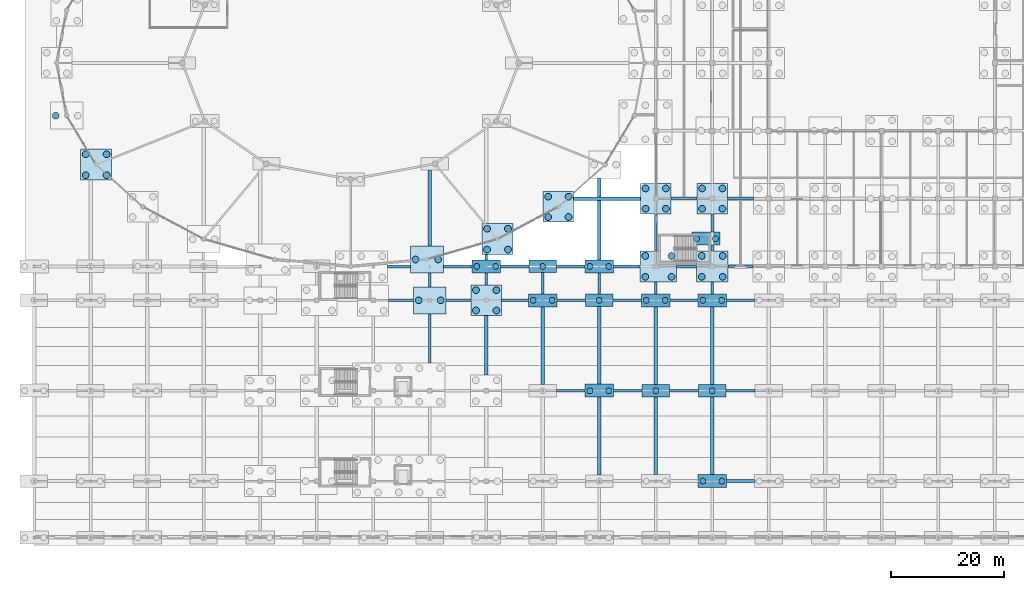
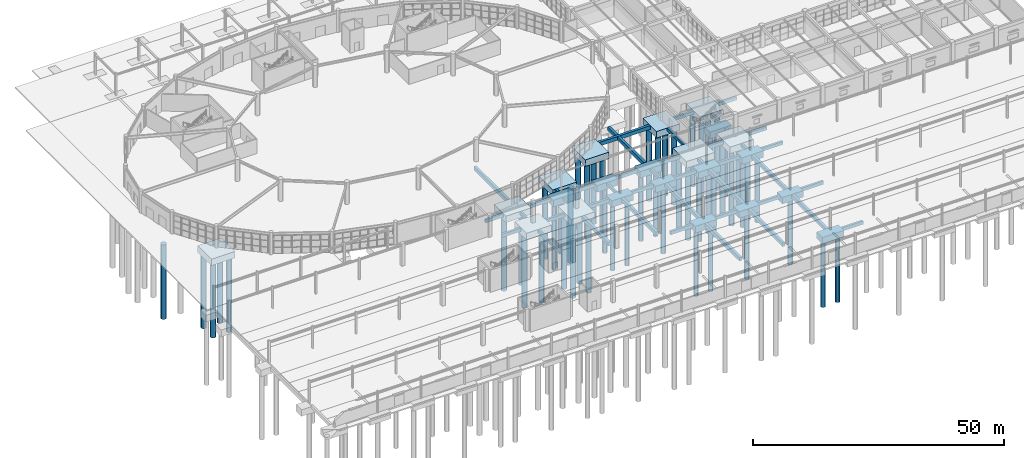
# One storey, part 3 of 99: 65 footings, 57 piles.
"""IFC4 building model written with IfcOpenShell, lengths in metres."""

from ifc_helpers import new_model, si_unit, direction, frame, origin, origin_2d, place, context, subcontext, project, spatial, rectangle, circle, extrude, material, material_profile, profile_set, type_object, element, save


model = new_model("IFC4")

# Units and contexts
model_context = context("Model", 3, precision=1e-05, world=origin(), true_north=direction((0.0, 1.0)))
body_context = subcontext(model_context, "Body", "Model", "MODEL_VIEW")
ifc_project = project(units=[si_unit("LENGTHUNIT", "METRE"), si_unit("AREAUNIT", "SQUARE_METRE"), si_unit("VOLUMEUNIT", "CUBIC_METRE"), si_unit("PLANEANGLEUNIT", "RADIAN"), si_unit("MASSUNIT", "GRAM", prefix="KILO")], contexts=[model_context])

# Site, building, storey
site_placement = place(None, origin())
site = spatial("IfcSite", under=ifc_project, at=site_placement, CompositionType="ELEMENT")
building_placement = place(site_placement, origin())
building = spatial("IfcBuilding", under=site, at=building_placement, Name="Kivolera Central Railway Station", CompositionType="ELEMENT")
storey_placement = place(building_placement, origin())
storey = spatial("IfcBuildingStorey", under=building, at=storey_placement, Name="L00", CompositionType="ELEMENT", Elevation=0.0)

# Footings
ifc_material = material(Name="Concrete C35/45", Category="concrete")
footing_type_1 = type_object("IfcFootingType", Name="FB-450x750", PredefinedType="FOOTING_BEAM", material=ifc_material)
footing_1_placement = place(storey_placement, frame((78.0, 41.2451171875, -1.110107421875), z_axis=(0.0, 0.0, 1.0), x_axis=(1.0, 0.0, 0.0)))
element("IfcFooting", 1, at=footing_1_placement, inside=storey, type_object=footing_type_1, Name="Foundation Tie Beam FDN-FBY-189", PredefinedType="FOOTING_BEAM", context=body_context, shape_type="SweptSolid", body=[
    extrude(rectangle(XDim=0.449951171875, YDim=8.7109375, at=origin_2d()), origin(), (0.0, 0.0, 1.0), 0.75),
])
footing_2_placement = place(storey_placement, frame((78.0, 51.614013671875, -1.10009765625), z_axis=(0.0, 0.0, 1.0), x_axis=(1.0, 0.0, 0.0)))
element("IfcFooting", 2, at=footing_2_placement, inside=storey, type_object=footing_type_1, Name="Foundation Tie Beam FDN-FBY-190", PredefinedType="FOOTING_BEAM", context=body_context, shape_type="SweptSolid", body=[
    extrude(rectangle(XDim=0.449951171875, YDim=2.427001953125, at=origin_2d()), origin(), (0.0, 0.0, 1.0), 0.75),
])
footing_3_placement = place(storey_placement, frame((88.0, 51.77490234375, -1.10009765625), z_axis=(0.0, 0.0, 1.0), x_axis=(1.0, 0.0, 0.0)))
element("IfcFooting", 3, at=footing_3_placement, inside=storey, type_object=footing_type_1, Name="Foundation Tie Beam FDN-FBY-198", PredefinedType="FOOTING_BEAM", context=body_context, shape_type="SweptSolid", body=[
    extrude(rectangle(XDim=0.449951171875, YDim=2.14990234375, at=origin_2d()), origin(), (0.0, 0.0, 1.0), 0.75),
])
footing_4_placement = place(storey_placement, frame((88.0, 55.611083984375, -1.10009765625), z_axis=(0.0, 0.0, 1.0), x_axis=(1.0, 0.0, 0.0)))
element("IfcFooting", 4, at=footing_4_placement, inside=storey, type_object=footing_type_1, Name="Foundation Tie Beam FDN-FBY-199", PredefinedType="FOOTING_BEAM", context=body_context, shape_type="SweptSolid", body=[
    extrude(rectangle(XDim=0.449951171875, YDim=0.923095703125, at=origin_2d()), origin(), (0.0, 0.0, 1.0), 0.75),
])
for number, where, z_axis, x_axis, name in (
    (5, (98.0, 51.02490234375, -1.10009765625), (0.0, 0.0, 1.0), (1.0, 0.0, 0.0), "Foundation Tie Beam FDN-FBY-208"),
    (6, (108.0, 50.97509765625, -1.10009765625), (0.0, 0.0, 1.0), (1.0, 0.0, 0.0), "Foundation Tie Beam FDN-FBY-213"),
):
    element("IfcFooting", number, at=place(storey_placement, frame(where, z_axis=z_axis, x_axis=x_axis)), inside=storey, type_object=footing_type_1, Name=name, PredefinedType="FOOTING_BEAM", context=body_context, shape_type="SweptSolid", body=[
        extrude(rectangle(XDim=0.449951171875, YDim=3.75, at=origin_2d()), origin(), (0.0, 0.0, 1.0), 0.75),
    ])
footing_5_placement = place(storey_placement, frame((118.0, 50.199951171875, -1.10009765625), z_axis=(0.0, 0.0, 1.0), x_axis=(1.0, 0.0, 0.0)))
element("IfcFooting", 7, at=footing_5_placement, inside=storey, type_object=footing_type_1, Name="Foundation Tie Beam FDN-FBY-218", PredefinedType="FOOTING_BEAM", context=body_context, shape_type="SweptSolid", body=[
    extrude(rectangle(XDim=0.449951171875, YDim=2.10009765625, at=origin_2d()), origin(), (0.0, 0.0, 1.0), 0.75),
])
footing_6_placement = place(storey_placement, frame((118.0, 60.02490234375, -1.10009765625), z_axis=(0.0, 0.0, 1.0), x_axis=(1.0, 0.0, 0.0)))
element("IfcFooting", 8, at=footing_6_placement, inside=storey, type_object=footing_type_1, Name="Foundation Tie Beam FDN-FBY-219", PredefinedType="FOOTING_BEAM", context=body_context, shape_type="SweptSolid", body=[
    extrude(rectangle(XDim=0.449951171875, YDim=6.550048828125, at=origin_2d()), origin(), (0.0, 0.0, 1.0), 0.75),
])
footing_7_placement = place(storey_placement, frame((128.0, 50.199951171875, -1.10009765625), z_axis=(0.0, 0.0, 1.0), x_axis=(1.0, 0.0, 0.0)))
element("IfcFooting", 9, at=footing_7_placement, inside=storey, type_object=footing_type_1, Name="Foundation Tie Beam FDN-FBY-228", PredefinedType="FOOTING_BEAM", context=body_context, shape_type="SweptSolid", body=[
    extrude(rectangle(XDim=0.449951171875, YDim=2.10009765625, at=origin_2d()), origin(), (0.0, 0.0, 1.0), 0.75),
])
footing_8_placement = place(storey_placement, frame((128.0, 57.25, -1.10009765625), z_axis=(0.0, 0.0, 1.0), x_axis=(1.0, 0.0, 0.0)))
element("IfcFooting", 10, at=footing_8_placement, inside=storey, type_object=footing_type_1, Name="Foundation Tie Beam FDN-FBY-229", PredefinedType="FOOTING_BEAM", context=body_context, shape_type="SweptSolid", body=[
    extrude(rectangle(XDim=0.449951171875, YDim=1.0, at=origin_2d()), origin(), (0.0, 0.0, 1.0), 0.75),
])
footing_9_placement = place(storey_placement, frame((128.0, 61.675048828125, -1.10009765625), z_axis=(0.0, 0.0, 1.0), x_axis=(1.0, 0.0, 0.0)))
element("IfcFooting", 11, at=footing_9_placement, inside=storey, type_object=footing_type_1, Name="Foundation Tie Beam FDN-FBY-230", PredefinedType="FOOTING_BEAM", context=body_context, shape_type="SweptSolid", body=[
    extrude(rectangle(XDim=0.449951171875, YDim=3.25, at=origin_2d()), origin(), (0.0, 0.0, 1.0), 0.75),
])
footing_type_2 = type_object("IfcFootingType", Name="FB-500x800", PredefinedType="FOOTING_BEAM", material=ifc_material)
footing_10_placement = place(storey_placement, frame((133.0, 16.0, -1.16015625), z_axis=(0.0, 0.0, 1.0), x_axis=(1.0, 0.0, 0.0)))
element("IfcFooting", 12, at=footing_10_placement, inside=storey, type_object=footing_type_2, Name="Foundation Tie Beam FDN-FBX-031", PredefinedType="FOOTING_BEAM", context=body_context, shape_type="SweptSolid", body=[
    extrude(rectangle(XDim=5.0, YDim=0.5, at=origin_2d()), origin(), (0.0, 0.0, 1.0), 0.800048828125),
])
for number, where, z_axis, x_axis, name in (
    (13, (102.949951171875, 32.0, -1.16015625), (0.0, 0.0, 1.0), (1.0, 0.0, 0.0), "Foundation Tie Beam FDN-FBX-046"),
    (14, (113.050048828125, 32.0, -1.16015625), (0.0, 0.0, 1.0), (1.0, 0.0, 0.0), "Foundation Tie Beam FDN-FBX-047"),
):
    element("IfcFooting", number, at=place(storey_placement, frame(where, z_axis=z_axis, x_axis=x_axis)), inside=storey, type_object=footing_type_2, Name=name, PredefinedType="FOOTING_BEAM", context=body_context, shape_type="SweptSolid", body=[
        extrude(rectangle(XDim=5.10009765625, YDim=0.5, at=origin_2d()), origin(), (0.0, 0.0, 1.0), 0.800048828125),
    ])
for number, where, z_axis, x_axis, name in (
    (15, (123.0, 32.0, -1.16015625), (0.0, 0.0, 1.0), (1.0, 0.0, 0.0), "Foundation Tie Beam FDN-FBX-048"),
    (16, (133.0, 32.0, -1.16015625), (0.0, 0.0, 1.0), (1.0, 0.0, 0.0), "Foundation Tie Beam FDN-FBX-049"),
):
    element("IfcFooting", number, at=place(storey_placement, frame(where, z_axis=z_axis, x_axis=x_axis)), inside=storey, type_object=footing_type_2, Name=name, PredefinedType="FOOTING_BEAM", context=body_context, shape_type="SweptSolid", body=[
        extrude(rectangle(XDim=5.199951171875, YDim=0.5, at=origin_2d()), origin(), (0.0, 0.0, 1.0), 0.800048828125),
    ])
footing_11_placement = place(storey_placement, frame((72.949951171875, 48.0, -1.16015625), z_axis=(0.0, 0.0, 1.0), x_axis=(1.0, 0.0, 0.0)))
element("IfcFooting", 17, at=footing_11_placement, inside=storey, type_object=footing_type_2, Name="Foundation Tie Beam FDN-FBX-062", PredefinedType="FOOTING_BEAM", context=body_context, shape_type="SweptSolid", body=[
    extrude(rectangle(XDim=4.39990234375, YDim=0.5, at=origin_2d()), origin(), (0.0, 0.0, 1.0), 0.800048828125),
])
footing_12_placement = place(storey_placement, frame((83.074951171875, 48.0, -1.16015625), z_axis=(0.0, 0.0, 1.0), x_axis=(1.0, 0.0, 0.0)))
element("IfcFooting", 18, at=footing_12_placement, inside=storey, type_object=footing_type_2, Name="Foundation Tie Beam FDN-FBX-063", PredefinedType="FOOTING_BEAM", context=body_context, shape_type="SweptSolid", body=[
    extrude(rectangle(XDim=4.449951171875, YDim=0.5, at=origin_2d()), origin(), (0.0, 0.0, 1.0), 0.800048828125),
])
footing_13_placement = place(storey_placement, frame((93.10009765625, 48.0, -1.16015625), z_axis=(0.0, 0.0, 1.0), x_axis=(1.0, 0.0, 0.0)))
element("IfcFooting", 19, at=footing_13_placement, inside=storey, type_object=footing_type_2, Name="Foundation Tie Beam FDN-FBX-064", PredefinedType="FOOTING_BEAM", context=body_context, shape_type="SweptSolid", body=[
    extrude(rectangle(XDim=4.800048828125, YDim=0.5, at=origin_2d()), origin(), (0.0, 0.0, 1.0), 0.800048828125),
])
for number, where, z_axis, x_axis, name in (
    (20, (103.050048828125, 48.0, -1.16015625), (0.0, 0.0, 1.0), (1.0, 0.0, 0.0), "Foundation Tie Beam FDN-FBX-065"),
    (21, (112.949951171875, 48.0, -1.16015625), (0.0, 0.0, 1.0), (1.0, 0.0, 0.0), "Foundation Tie Beam FDN-FBX-066"),
):
    element("IfcFooting", number, at=place(storey_placement, frame(where, z_axis=z_axis, x_axis=x_axis)), inside=storey, type_object=footing_type_2, Name=name, PredefinedType="FOOTING_BEAM", context=body_context, shape_type="SweptSolid", body=[
        extrude(rectangle(XDim=5.10009765625, YDim=0.5, at=origin_2d()), origin(), (0.0, 0.0, 1.0), 0.800048828125),
    ])
for number, where, z_axis, x_axis, name in (
    (22, (123.0, 48.0, -1.16015625), (0.0, 0.0, 1.0), (1.0, 0.0, 0.0), "Foundation Tie Beam FDN-FBX-067"),
    (23, (133.0, 48.0, -1.16015625), (0.0, 0.0, 1.0), (1.0, 0.0, 0.0), "Foundation Tie Beam FDN-FBX-068"),
):
    element("IfcFooting", number, at=place(storey_placement, frame(where, z_axis=z_axis, x_axis=x_axis)), inside=storey, type_object=footing_type_2, Name=name, PredefinedType="FOOTING_BEAM", context=body_context, shape_type="SweptSolid", body=[
        extrude(rectangle(XDim=5.0, YDim=0.5, at=origin_2d()), origin(), (0.0, 0.0, 1.0), 0.800048828125),
    ])
footing_14_placement = place(storey_placement, frame((72.553955078125, 54.0, -1.14990234375), z_axis=(0.0, 0.0, 1.0), x_axis=(1.0, 0.0, 0.0)))
element("IfcFooting", 24, at=footing_14_placement, inside=storey, type_object=footing_type_2, Name="Foundation Tie Beam FDN-FBX-081", PredefinedType="FOOTING_BEAM", context=body_context, shape_type="SweptSolid", body=[
    extrude(rectangle(XDim=4.10888671875, YDim=0.5, at=origin_2d()), origin(), (0.0, 0.0, 1.0), 0.800048828125),
])
for number, where, z_axis, x_axis, name in (
    (25, (82.949951171875, 54.0, -1.14990234375), (0.0, 0.0, 1.0), (1.0, 0.0, 0.0), "Foundation Tie Beam FDN-FBX-082"),
    (26, (93.050048828125, 54.0, -1.14990234375), (0.0, 0.0, 1.0), (1.0, 0.0, 0.0), "Foundation Tie Beam FDN-FBX-083"),
    (27, (102.949951171875, 54.0, -1.14990234375), (0.0, 0.0, 1.0), (1.0, 0.0, 0.0), "Foundation Tie Beam FDN-FBX-084"),
):
    element("IfcFooting", number, at=place(storey_placement, frame(where, z_axis=z_axis, x_axis=x_axis)), inside=storey, type_object=footing_type_2, Name=name, PredefinedType="FOOTING_BEAM", context=body_context, shape_type="SweptSolid", body=[
        extrude(rectangle(XDim=5.10009765625, YDim=0.5, at=origin_2d()), origin(), (0.0, 0.0, 1.0), 0.800048828125),
    ])
footing_15_placement = place(storey_placement, frame((112.875, 54.0, -1.14990234375), z_axis=(0.0, 0.0, 1.0), x_axis=(1.0, 0.0, 0.0)))
element("IfcFooting", 28, at=footing_15_placement, inside=storey, type_object=footing_type_2, Name="Foundation Tie Beam FDN-FBX-085", PredefinedType="FOOTING_BEAM", context=body_context, shape_type="SweptSolid", body=[
    extrude(rectangle(XDim=4.75, YDim=0.5, at=origin_2d()), origin(), (0.0, 0.0, 1.0), 0.800048828125),
])
footing_16_placement = place(storey_placement, frame((123.47509765625, 54.0, -1.14990234375), z_axis=(0.0, 0.0, 1.0), x_axis=(1.0, 0.0, 0.0)))
element("IfcFooting", 29, at=footing_16_placement, inside=storey, type_object=footing_type_2, Name="Foundation Tie Beam FDN-FBX-086", PredefinedType="FOOTING_BEAM", context=body_context, shape_type="SweptSolid", body=[
    extrude(rectangle(XDim=3.550048828125, YDim=0.5, at=origin_2d()), origin(), (0.0, 0.0, 1.0), 0.800048828125),
])
footing_17_placement = place(storey_placement, frame((133.0, 54.0, -1.14990234375), z_axis=(0.0, 0.0, 1.0), x_axis=(1.0, 0.0, 0.0)))
element("IfcFooting", 30, at=footing_17_placement, inside=storey, type_object=footing_type_2, Name="Foundation Tie Beam FDN-FBX-087", PredefinedType="FOOTING_BEAM", context=body_context, shape_type="SweptSolid", body=[
    extrude(rectangle(XDim=4.5, YDim=0.5, at=origin_2d()), origin(), (0.0, 0.0, 1.0), 0.800048828125),
])
for number, where, z_axis, x_axis, name in (
    (31, (123.0, 66.0, -1.14990234375), (0.0, 0.0, 1.0), (1.0, 0.0, 0.0), "Foundation Tie Beam FDN-FBX-095"),
    (32, (133.0, 66.0, -1.14990234375), (0.0, 0.0, 1.0), (1.0, 0.0, 0.0), "Foundation Tie Beam FDN-FBX-096"),
):
    element("IfcFooting", number, at=place(storey_placement, frame(where, z_axis=z_axis, x_axis=x_axis)), inside=storey, type_object=footing_type_2, Name=name, PredefinedType="FOOTING_BEAM", context=body_context, shape_type="SweptSolid", body=[
        extrude(rectangle(XDim=4.60009765625, YDim=0.5, at=origin_2d()), origin(), (0.0, 0.0, 1.0), 0.800048828125),
    ])
footing_type_3 = type_object("IfcFootingType", Name="FB-600x900", PredefinedType="FOOTING_BEAM", material=ifc_material)
footing_18_placement = place(storey_placement, frame((109.385009765625, 66.0, -1.25), z_axis=(0.0, 0.0, 1.0), x_axis=(1.0, 0.0, 0.0)))
element("IfcFooting", 33, at=footing_18_placement, inside=storey, type_object=footing_type_3, Name="Foundation Tie Beam FDN-FBX-094", PredefinedType="FOOTING_BEAM", context=body_context, shape_type="SweptSolid", body=[
    extrude(rectangle(XDim=11.830078125, YDim=0.60009765625, at=origin_2d()), origin(), (0.0, 0.0, 1.0), 0.89990234375),
])
footing_19_placement = place(storey_placement, frame((78.0, 64.343994140625, -1.25), z_axis=(0.0, 0.0, 1.0), x_axis=(1.0, 0.0, 0.0)))
element("IfcFooting", 34, at=footing_19_placement, inside=storey, type_object=footing_type_3, Name="Foundation Tie Beam FDN-FBY-191", PredefinedType="FOOTING_BEAM", context=body_context, shape_type="SweptSolid", body=[
    extrude(rectangle(XDim=0.60009765625, YDim=13.43310546875, at=origin_2d()), origin(), (0.0, 0.0, 1.0), 0.89990234375),
])
footing_20_placement = place(storey_placement, frame((88.0, 40.02490234375, -1.260009765625), z_axis=(0.0, 0.0, 1.0), x_axis=(1.0, 0.0, 0.0)))
element("IfcFooting", 35, at=footing_20_placement, inside=storey, type_object=footing_type_3, Name="Foundation Tie Beam FDN-FBY-197", PredefinedType="FOOTING_BEAM", context=body_context, shape_type="SweptSolid", body=[
    extrude(rectangle(XDim=0.60009765625, YDim=10.550048828125, at=origin_2d()), origin(), (0.0, 0.0, 1.0), 0.89990234375),
])
for number, where, z_axis, x_axis, name in (
    (36, (98.0, 39.97509765625, -1.260009765625), (0.0, 0.0, 1.0), (1.0, 0.0, 0.0), "Foundation Tie Beam FDN-FBY-207"),
    (37, (108.0, 23.97509765625, -1.260009765625), (0.0, 0.0, 1.0), (1.0, 0.0, 0.0), "Foundation Tie Beam FDN-FBY-211"),
    (38, (108.0, 40.02490234375, -1.260009765625), (0.0, 0.0, 1.0), (1.0, 0.0, 0.0), "Foundation Tie Beam FDN-FBY-212"),
):
    element("IfcFooting", number, at=place(storey_placement, frame(where, z_axis=z_axis, x_axis=x_axis)), inside=storey, type_object=footing_type_3, Name=name, PredefinedType="FOOTING_BEAM", context=body_context, shape_type="SweptSolid", body=[
        extrude(rectangle(XDim=0.60009765625, YDim=13.75, at=origin_2d()), origin(), (0.0, 0.0, 1.0), 0.89990234375),
    ])
footing_21_placement = place(storey_placement, frame((108.0, 62.375, -1.25), z_axis=(0.0, 0.0, 1.0), x_axis=(1.0, 0.0, 0.0)))
element("IfcFooting", 39, at=footing_21_placement, inside=storey, type_object=footing_type_3, Name="Foundation Tie Beam FDN-FBY-214", PredefinedType="FOOTING_BEAM", context=body_context, shape_type="SweptSolid", body=[
    extrude(rectangle(XDim=0.60009765625, YDim=14.449951171875, at=origin_2d()), origin(), (0.0, 0.0, 1.0), 0.89990234375),
])
for number, where, z_axis, x_axis, name in (
    (40, (118.0, 24.02490234375, -1.260009765625), (0.0, 0.0, 1.0), (1.0, 0.0, 0.0), "Foundation Tie Beam FDN-FBY-216"),
    (41, (118.0, 39.97509765625, -1.260009765625), (0.0, 0.0, 1.0), (1.0, 0.0, 0.0), "Foundation Tie Beam FDN-FBY-217"),
    (42, (128.0, 24.02490234375, -1.260009765625), (0.0, 0.0, 1.0), (1.0, 0.0, 0.0), "Foundation Tie Beam FDN-FBY-226"),
    (43, (128.0, 39.97509765625, -1.260009765625), (0.0, 0.0, 1.0), (1.0, 0.0, 0.0), "Foundation Tie Beam FDN-FBY-227"),
):
    element("IfcFooting", number, at=place(storey_placement, frame(where, z_axis=z_axis, x_axis=x_axis)), inside=storey, type_object=footing_type_3, Name=name, PredefinedType="FOOTING_BEAM", context=body_context, shape_type="SweptSolid", body=[
        extrude(rectangle(XDim=0.60009765625, YDim=13.75, at=origin_2d()), origin(), (0.0, 0.0, 1.0), 0.89990234375),
    ])
footing_type_4 = type_object("IfcFootingType", Name="PC-4800x2200", PredefinedType="PILE_CAP", material=ifc_material)
for number, where, z_axis, x_axis, name in (
    (44, (98.0, 54.0, -1.949951171875), (0.0, 0.0, 1.0), (1.0, 0.0, 0.0), "Pile Cap FDN-PC-123"),
    (45, (108.0, 48.0, -1.9599609375), (0.0, 0.0, 1.0), (1.0, 0.0, 0.0), "Pile Cap FDN-PC-127"),
    (46, (118.0, 32.0, -1.9599609375), (0.0, 0.0, 1.0), (1.0, 0.0, 0.0), "Pile Cap FDN-PC-131"),
    (47, (128.0, 32.0, -1.9599609375), (0.0, 0.0, 1.0), (1.0, 0.0, 0.0), "Pile Cap FDN-PC-135"),
):
    element("IfcFooting", number, at=place(storey_placement, frame(where, z_axis=z_axis, x_axis=x_axis)), inside=storey, type_object=footing_type_4, Name=name, PredefinedType="PILE_CAP", context=body_context, shape_type="SweptSolid", body=[
        extrude(rectangle(XDim=4.800048828125, YDim=2.199951171875, at=origin_2d()), origin(), (0.0, 0.0, 1.0), 1.60009765625),
    ])
footing_type_5 = type_object("IfcFootingType", Name="PC-5000x2300", PredefinedType="PILE_CAP", material=ifc_material)
for number, where, z_axis, x_axis, name in (
    (48, (126.89990234375, 58.89990234375, -1.949951171875), (0.0, 0.0, 1.0), (1.0, 0.0, 0.0), "Pile Cap FDN-PC-068"),
    (49, (88.0, 54.0, -1.949951171875), (0.0, 0.0, 1.0), (1.0, 0.0, 0.0), "Pile Cap FDN-PC-118"),
    (50, (98.0, 48.0, -1.9599609375), (0.0, 0.0, 1.0), (1.0, 0.0, 0.0), "Pile Cap FDN-PC-122"),
    (51, (108.0, 32.0, -1.9599609375), (0.0, 0.0, 1.0), (1.0, 0.0, 0.0), "Pile Cap FDN-PC-126"),
    (52, (108.0, 54.0, -1.949951171875), (0.0, 0.0, 1.0), (1.0, 0.0, 0.0), "Pile Cap FDN-PC-128"),
    (53, (118.0, 48.0, -1.9599609375), (0.0, 0.0, 1.0), (1.0, 0.0, 0.0), "Pile Cap FDN-PC-132"),
    (54, (128.0, 16.0, -1.9599609375), (0.0, 0.0, 1.0), (1.0, 0.0, 0.0), "Pile Cap FDN-PC-134"),
    (55, (128.0, 48.0, -1.9599609375), (0.0, 0.0, 1.0), (1.0, 0.0, 0.0), "Pile Cap FDN-PC-136"),
):
    element("IfcFooting", number, at=place(storey_placement, frame(where, z_axis=z_axis, x_axis=x_axis)), inside=storey, type_object=footing_type_5, Name=name, PredefinedType="PILE_CAP", context=body_context, shape_type="SweptSolid", body=[
        extrude(rectangle(XDim=5.0, YDim=2.300048828125, at=origin_2d()), origin(), (0.0, 0.0, 1.0), 1.60009765625),
    ])
footing_type_6 = type_object("IfcFootingType", Name="PC-5400x5400", PredefinedType="PILE_CAP", material=ifc_material)
for number, where, z_axis, x_axis, name in (
    (56, (118.0, 66.0, -1.949951171875), (0.0, 0.0, 1.0), (1.0, 0.0, 0.0), "Pile Cap FDN-PC-002"),
    (57, (128.0, 66.0, -1.949951171875), (0.0, 0.0, 1.0), (1.0, 0.0, 0.0), "Pile Cap FDN-PC-011"),
    (58, (88.0, 48.0, -1.9599609375), (0.0, 0.0, 1.0), (1.0, 0.0, 0.0), "Pile Cap FDN-PC-117"),
    (59, (100.77001953125, 64.5439453125, -1.949951171875), (0.0, 0.0, 1.0), (1.0, 0.0, 0.0), "Pile Cap FDN-PC-181"),
):
    element("IfcFooting", number, at=place(storey_placement, frame(where, z_axis=z_axis, x_axis=x_axis)), inside=storey, type_object=footing_type_6, Name=name, PredefinedType="PILE_CAP", context=body_context, shape_type="SweptSolid", body=[
        extrude(rectangle(XDim=5.39990234375, YDim=5.39990234375, at=origin_2d()), origin(), (0.0, 0.0, 1.0), 1.60009765625),
    ])
footing_type_7 = type_object("IfcFootingType", Name="PC-5500x5500", PredefinedType="PILE_CAP", material=ifc_material)
for number, where, z_axis, x_axis, name in (
    (60, (128.0, 54.0, -1.949951171875), (0.0, 0.0, 1.0), (1.0, 0.0, 0.0), "Pile Cap FDN-PC-010"),
    (61, (18.967041015625, 72.0, -1.949951171875), (0.0, 0.0, 1.0), (1.0, 0.0, 0.0), "Pile Cap FDN-PC-177"),
    (62, (90.0, 58.822998046875, -1.949951171875), (0.0, 0.0, 1.0), (1.0, 0.0, 0.0), "Pile Cap FDN-PC-180"),
):
    element("IfcFooting", number, at=place(storey_placement, frame(where, z_axis=z_axis, x_axis=x_axis)), inside=storey, type_object=footing_type_7, Name=name, PredefinedType="PILE_CAP", context=body_context, shape_type="SweptSolid", body=[
        extrude(rectangle(XDim=5.5, YDim=5.5, at=origin_2d()), origin(), (0.0, 0.0, 1.0), 1.60009765625),
    ])
footing_type_8 = type_object("IfcFootingType", Name="PC-5700x4800", PredefinedType="PILE_CAP", material=ifc_material)
footing_22_placement = place(storey_placement, frame((78.0, 48.0, -1.9599609375), z_axis=(0.0, 0.0, 1.0), x_axis=(1.0, 0.0, 0.0)))
element("IfcFooting", 63, at=footing_22_placement, inside=storey, type_object=footing_type_8, Name="Pile Cap FDN-PC-112", PredefinedType="PILE_CAP", context=body_context, shape_type="SweptSolid", body=[
    extrude(rectangle(XDim=5.699951171875, YDim=4.800048828125, at=origin_2d()), origin(), (0.0, 0.0, 1.0), 1.60009765625),
])
footing_type_9 = type_object("IfcFootingType", Name="PC-5791x4800", PredefinedType="PILE_CAP", material=ifc_material)
footing_23_placement = place(storey_placement, frame((77.5048828125, 55.22705078125, -1.949951171875), z_axis=(0.0, 0.0, 1.0), x_axis=(1.0, 0.0, 0.0)))
element("IfcFooting", 64, at=footing_23_placement, inside=storey, type_object=footing_type_9, Name="Pile Cap FDN-PC-113", PredefinedType="PILE_CAP", context=body_context, shape_type="SweptSolid", body=[
    extrude(rectangle(XDim=5.791015625, YDim=4.800048828125, at=origin_2d()), origin(), (0.0, 0.0, 1.0), 1.60009765625),
])
footing_type_10 = type_object("IfcFootingType", Name="PC-6450x5500", PredefinedType="PILE_CAP", material=ifc_material)
footing_24_placement = place(storey_placement, frame((118.47509765625, 54.0, -1.949951171875), z_axis=(0.0, 0.0, 1.0), x_axis=(1.0, 0.0, 0.0)))
element("IfcFooting", 65, at=footing_24_placement, inside=storey, type_object=footing_type_10, Name="Pile Cap FDN-PC-001", PredefinedType="PILE_CAP", context=body_context, shape_type="SweptSolid", body=[
    extrude(rectangle(XDim=6.449951171875, YDim=5.5, at=origin_2d()), origin(), (0.0, 0.0, 1.0), 1.60009765625),
])

# Piles
ifc_material_profile_1 = material_profile(ifc_material, circle(Radius=0.52490234375, at=origin_2d()), Name="PILE D1050")
ifc_profile_set_1 = profile_set([ifc_material_profile_1], Name="Concrete C35/45")
pile_type_1 = type_object("IfcPileType", Name="PILE-1050", PredefinedType="BORED", material=ifc_profile_set_1)
for number, where, z_axis, x_axis, name in (
    (66, (125.22509765625, 58.89990234375, -1.85009765625), (0.0, 0.0, -1.0), (1.0, 0.0, 0.0), "Bored Pile FDN-PC-068-P01"),
    (67, (128.574951171875, 58.89990234375, -1.85009765625), (0.0, 0.0, -1.0), (1.0, 0.0, 0.0), "Bored Pile FDN-PC-068-P02"),
    (68, (86.324951171875, 54.0, -1.85009765625), (0.0, 0.0, -1.0), (1.0, 0.0, 0.0), "Bored Pile FDN-PC-118-P01"),
    (69, (89.675048828125, 54.0, -1.85009765625), (0.0, 0.0, -1.0), (1.0, 0.0, 0.0), "Bored Pile FDN-PC-118-P02"),
):
    element("IfcPile", number, at=place(storey_placement, frame(where, z_axis=z_axis, x_axis=x_axis)), inside=storey, type_object=pile_type_1, Name=name, PredefinedType="BORED", context=body_context, shape_type="SweptSolid", body=[
        extrude(circle(Radius=0.52490234375, at=origin_2d()), origin(), (0.0, 0.0, 1.0), 16.14990234375),
    ])
for number, where, z_axis, x_axis, name in (
    (70, (96.324951171875, 48.0, -1.860107421875), (0.0, 0.0, -1.0), (1.0, 0.0, 0.0), "Bored Pile FDN-PC-122-P01"),
    (71, (99.675048828125, 48.0, -1.860107421875), (0.0, 0.0, -1.0), (1.0, 0.0, 0.0), "Bored Pile FDN-PC-122-P02"),
):
    element("IfcPile", number, at=place(storey_placement, frame(where, z_axis=z_axis, x_axis=x_axis)), inside=storey, type_object=pile_type_1, Name=name, PredefinedType="BORED", context=body_context, shape_type="SweptSolid", body=[
        extrude(circle(Radius=0.52490234375, at=origin_2d()), origin(), (0.0, 0.0, 1.0), 16.139892578125),
    ])
pile_placement = place(storey_placement, frame((98.0, 54.0, -1.85009765625), z_axis=(0.0, 0.0, -1.0), x_axis=(1.0, 0.0, 0.0)))
element("IfcPile", 72, at=pile_placement, inside=storey, type_object=pile_type_1, Name="Bored Pile FDN-PC-123-P01", PredefinedType="BORED", context=body_context, shape_type="SweptSolid", body=[
    extrude(circle(Radius=0.52490234375, at=origin_2d()), origin(), (0.0, 0.0, 1.0), 16.14990234375),
])
for number, where, z_axis, x_axis, name in (
    (73, (106.324951171875, 32.0, -1.860107421875), (0.0, 0.0, -1.0), (1.0, 0.0, 0.0), "Bored Pile FDN-PC-126-P01"),
    (74, (109.675048828125, 32.0, -1.860107421875), (0.0, 0.0, -1.0), (1.0, 0.0, 0.0), "Bored Pile FDN-PC-126-P02"),
    (75, (108.0, 48.0, -1.860107421875), (0.0, 0.0, -1.0), (1.0, 0.0, 0.0), "Bored Pile FDN-PC-127-P01"),
):
    element("IfcPile", number, at=place(storey_placement, frame(where, z_axis=z_axis, x_axis=x_axis)), inside=storey, type_object=pile_type_1, Name=name, PredefinedType="BORED", context=body_context, shape_type="SweptSolid", body=[
        extrude(circle(Radius=0.52490234375, at=origin_2d()), origin(), (0.0, 0.0, 1.0), 16.139892578125),
    ])
for number, where, z_axis, x_axis, name in (
    (76, (106.324951171875, 54.0, -1.85009765625), (0.0, 0.0, -1.0), (1.0, 0.0, 0.0), "Bored Pile FDN-PC-128-P01"),
    (77, (109.675048828125, 54.0, -1.85009765625), (0.0, 0.0, -1.0), (1.0, 0.0, 0.0), "Bored Pile FDN-PC-128-P02"),
):
    element("IfcPile", number, at=place(storey_placement, frame(where, z_axis=z_axis, x_axis=x_axis)), inside=storey, type_object=pile_type_1, Name=name, PredefinedType="BORED", context=body_context, shape_type="SweptSolid", body=[
        extrude(circle(Radius=0.52490234375, at=origin_2d()), origin(), (0.0, 0.0, 1.0), 16.14990234375),
    ])
for number, where, z_axis, x_axis, name in (
    (78, (118.0, 32.0, -1.860107421875), (0.0, 0.0, -1.0), (1.0, 0.0, 0.0), "Bored Pile FDN-PC-131-P01"),
    (79, (116.324951171875, 48.0, -1.860107421875), (0.0, 0.0, -1.0), (1.0, 0.0, 0.0), "Bored Pile FDN-PC-132-P01"),
    (80, (119.675048828125, 48.0, -1.860107421875), (0.0, 0.0, -1.0), (1.0, 0.0, 0.0), "Bored Pile FDN-PC-132-P02"),
    (81, (126.324951171875, 16.0, -1.860107421875), (0.0, 0.0, -1.0), (1.0, 0.0, 0.0), "Bored Pile FDN-PC-134-P01"),
    (82, (129.675048828125, 16.0, -1.860107421875), (0.0, 0.0, -1.0), (1.0, 0.0, 0.0), "Bored Pile FDN-PC-134-P02"),
    (83, (128.0, 32.0, -1.860107421875), (0.0, 0.0, -1.0), (1.0, 0.0, 0.0), "Bored Pile FDN-PC-135-P01"),
    (84, (126.324951171875, 48.0, -1.860107421875), (0.0, 0.0, -1.0), (1.0, 0.0, 0.0), "Bored Pile FDN-PC-136-P01"),
    (85, (129.675048828125, 48.0, -1.860107421875), (0.0, 0.0, -1.0), (1.0, 0.0, 0.0), "Bored Pile FDN-PC-136-P02"),
):
    element("IfcPile", number, at=place(storey_placement, frame(where, z_axis=z_axis, x_axis=x_axis)), inside=storey, type_object=pile_type_1, Name=name, PredefinedType="BORED", context=body_context, shape_type="SweptSolid", body=[
        extrude(circle(Radius=0.52490234375, at=origin_2d()), origin(), (0.0, 0.0, 1.0), 16.139892578125),
    ])
ifc_material_profile_2 = material_profile(ifc_material, circle(Radius=0.60009765625, at=origin_2d()), Name="PILE D1200")
ifc_profile_set_2 = profile_set([ifc_material_profile_2], Name="Concrete C35/45")
pile_type_2 = type_object("IfcPileType", Name="PILE-1200", PredefinedType="BORED", material=ifc_profile_set_2)
for number, where, z_axis, x_axis, name in (
    (86, (116.14990234375, 52.14990234375, -1.85009765625), (0.0, 0.0, -1.0), (1.0, 0.0, 0.0), "Bored Pile FDN-PC-001-P01"),
    (87, (116.14990234375, 55.85009765625, -1.85009765625), (0.0, 0.0, -1.0), (1.0, 0.0, 0.0), "Bored Pile FDN-PC-001-P02"),
    (88, (120.800048828125, 52.14990234375, -1.85009765625), (0.0, 0.0, -1.0), (1.0, 0.0, 0.0), "Bored Pile FDN-PC-001-P03"),
    (89, (120.800048828125, 55.85009765625, -1.85009765625), (0.0, 0.0, -1.0), (1.0, 0.0, 0.0), "Bored Pile FDN-PC-001-P04"),
    (90, (116.199951171875, 64.199951171875, -1.85009765625), (0.0, 0.0, -1.0), (1.0, 0.0, 0.0), "Bored Pile FDN-PC-002-P01"),
    (91, (116.199951171875, 67.800048828125, -1.85009765625), (0.0, 0.0, -1.0), (1.0, 0.0, 0.0), "Bored Pile FDN-PC-002-P02"),
    (92, (119.800048828125, 64.199951171875, -1.85009765625), (0.0, 0.0, -1.0), (1.0, 0.0, 0.0), "Bored Pile FDN-PC-002-P03"),
    (93, (119.800048828125, 67.800048828125, -1.85009765625), (0.0, 0.0, -1.0), (1.0, 0.0, 0.0), "Bored Pile FDN-PC-002-P04"),
    (94, (126.14990234375, 52.14990234375, -1.85009765625), (0.0, 0.0, -1.0), (1.0, 0.0, 0.0), "Bored Pile FDN-PC-010-P01"),
    (95, (126.14990234375, 55.85009765625, -1.85009765625), (0.0, 0.0, -1.0), (1.0, 0.0, 0.0), "Bored Pile FDN-PC-010-P02"),
    (96, (129.85009765625, 52.14990234375, -1.85009765625), (0.0, 0.0, -1.0), (1.0, 0.0, 0.0), "Bored Pile FDN-PC-010-P03"),
    (97, (129.85009765625, 55.85009765625, -1.85009765625), (0.0, 0.0, -1.0), (1.0, 0.0, 0.0), "Bored Pile FDN-PC-010-P04"),
    (98, (126.199951171875, 64.199951171875, -1.85009765625), (0.0, 0.0, -1.0), (1.0, 0.0, 0.0), "Bored Pile FDN-PC-011-P01"),
    (99, (126.199951171875, 67.800048828125, -1.85009765625), (0.0, 0.0, -1.0), (1.0, 0.0, 0.0), "Bored Pile FDN-PC-011-P02"),
    (100, (129.800048828125, 64.199951171875, -1.85009765625), (0.0, 0.0, -1.0), (1.0, 0.0, 0.0), "Bored Pile FDN-PC-011-P03"),
    (101, (129.800048828125, 67.800048828125, -1.85009765625), (0.0, 0.0, -1.0), (1.0, 0.0, 0.0), "Bored Pile FDN-PC-011-P04"),
):
    element("IfcPile", number, at=place(storey_placement, frame(where, z_axis=z_axis, x_axis=x_axis)), inside=storey, type_object=pile_type_2, Name=name, PredefinedType="BORED", context=body_context, shape_type="SweptSolid", body=[
        extrude(circle(Radius=0.60009765625, at=origin_2d()), origin(), (0.0, 0.0, 1.0), 18.14990234375),
    ])
for number, where, z_axis, x_axis, name in (
    (102, (76.050048828125, 48.0, -1.860107421875), (0.0, 0.0, -1.0), (1.0, 0.0, 0.0), "Bored Pile FDN-PC-112-P01"),
    (103, (79.949951171875, 48.0, -1.860107421875), (0.0, 0.0, -1.0), (1.0, 0.0, 0.0), "Bored Pile FDN-PC-112-P02"),
):
    element("IfcPile", number, at=place(storey_placement, frame(where, z_axis=z_axis, x_axis=x_axis)), inside=storey, type_object=pile_type_2, Name=name, PredefinedType="BORED", context=body_context, shape_type="SweptSolid", body=[
        extrude(circle(Radius=0.60009765625, at=origin_2d()), origin(), (0.0, 0.0, 1.0), 18.139892578125),
    ])
for number, where, z_axis, x_axis, name in (
    (104, (75.509033203125, 55.22705078125, -1.85009765625), (0.0, 0.0, -1.0), (1.0, 0.0, 0.0), "Bored Pile FDN-PC-113-P01"),
    (105, (79.5, 55.22705078125, -1.85009765625), (0.0, 0.0, -1.0), (1.0, 0.0, 0.0), "Bored Pile FDN-PC-113-P02"),
):
    element("IfcPile", number, at=place(storey_placement, frame(where, z_axis=z_axis, x_axis=x_axis)), inside=storey, type_object=pile_type_2, Name=name, PredefinedType="BORED", context=body_context, shape_type="SweptSolid", body=[
        extrude(circle(Radius=0.60009765625, at=origin_2d()), origin(), (0.0, 0.0, 1.0), 18.14990234375),
    ])
for number, where, z_axis, x_axis, name in (
    (106, (86.199951171875, 46.199951171875, -1.860107421875), (0.0, 0.0, -1.0), (1.0, 0.0, 0.0), "Bored Pile FDN-PC-117-P01"),
    (107, (86.199951171875, 49.800048828125, -1.860107421875), (0.0, 0.0, -1.0), (1.0, 0.0, 0.0), "Bored Pile FDN-PC-117-P02"),
    (108, (89.800048828125, 46.199951171875, -1.860107421875), (0.0, 0.0, -1.0), (1.0, 0.0, 0.0), "Bored Pile FDN-PC-117-P03"),
    (109, (89.800048828125, 49.800048828125, -1.860107421875), (0.0, 0.0, -1.0), (1.0, 0.0, 0.0), "Bored Pile FDN-PC-117-P04"),
):
    element("IfcPile", number, at=place(storey_placement, frame(where, z_axis=z_axis, x_axis=x_axis)), inside=storey, type_object=pile_type_2, Name=name, PredefinedType="BORED", context=body_context, shape_type="SweptSolid", body=[
        extrude(circle(Radius=0.60009765625, at=origin_2d()), origin(), (0.0, 0.0, 1.0), 18.139892578125),
    ])
for number, where, z_axis, x_axis, name in (
    (110, (11.822021484375, 80.68310546875, -1.85009765625), (0.0, 0.0, -1.0), (1.0, 0.0, 0.0), "Bored Pile FDN-PC-176-P01"),
    (111, (17.116943359375, 70.14990234375, -1.85009765625), (0.0, 0.0, -1.0), (1.0, 0.0, 0.0), "Bored Pile FDN-PC-177-P01"),
    (112, (17.116943359375, 73.85009765625, -1.85009765625), (0.0, 0.0, -1.0), (1.0, 0.0, 0.0), "Bored Pile FDN-PC-177-P02"),
    (113, (20.81689453125, 70.14990234375, -1.85009765625), (0.0, 0.0, -1.0), (1.0, 0.0, 0.0), "Bored Pile FDN-PC-177-P03"),
    (114, (20.81689453125, 73.85009765625, -1.85009765625), (0.0, 0.0, -1.0), (1.0, 0.0, 0.0), "Bored Pile FDN-PC-177-P04"),
    (115, (88.14990234375, 56.972900390625, -1.85009765625), (0.0, 0.0, -1.0), (1.0, 0.0, 0.0), "Bored Pile FDN-PC-180-P01"),
    (116, (88.14990234375, 60.673095703125, -1.85009765625), (0.0, 0.0, -1.0), (1.0, 0.0, 0.0), "Bored Pile FDN-PC-180-P02"),
    (117, (91.85009765625, 56.972900390625, -1.85009765625), (0.0, 0.0, -1.0), (1.0, 0.0, 0.0), "Bored Pile FDN-PC-180-P03"),
    (118, (91.85009765625, 60.673095703125, -1.85009765625), (0.0, 0.0, -1.0), (1.0, 0.0, 0.0), "Bored Pile FDN-PC-180-P04"),
    (119, (98.969970703125, 62.743896484375, -1.85009765625), (0.0, 0.0, -1.0), (1.0, 0.0, 0.0), "Bored Pile FDN-PC-181-P01"),
    (120, (98.969970703125, 66.343994140625, -1.85009765625), (0.0, 0.0, -1.0), (1.0, 0.0, 0.0), "Bored Pile FDN-PC-181-P02"),
    (121, (102.570068359375, 62.743896484375, -1.85009765625), (0.0, 0.0, -1.0), (1.0, 0.0, 0.0), "Bored Pile FDN-PC-181-P03"),
    (122, (102.570068359375, 66.343994140625, -1.85009765625), (0.0, 0.0, -1.0), (1.0, 0.0, 0.0), "Bored Pile FDN-PC-181-P04"),
):
    element("IfcPile", number, at=place(storey_placement, frame(where, z_axis=z_axis, x_axis=x_axis)), inside=storey, type_object=pile_type_2, Name=name, PredefinedType="BORED", context=body_context, shape_type="SweptSolid", body=[
        extrude(circle(Radius=0.60009765625, at=origin_2d()), origin(), (0.0, 0.0, 1.0), 18.14990234375),
    ])

save(model, "model.ifc")
